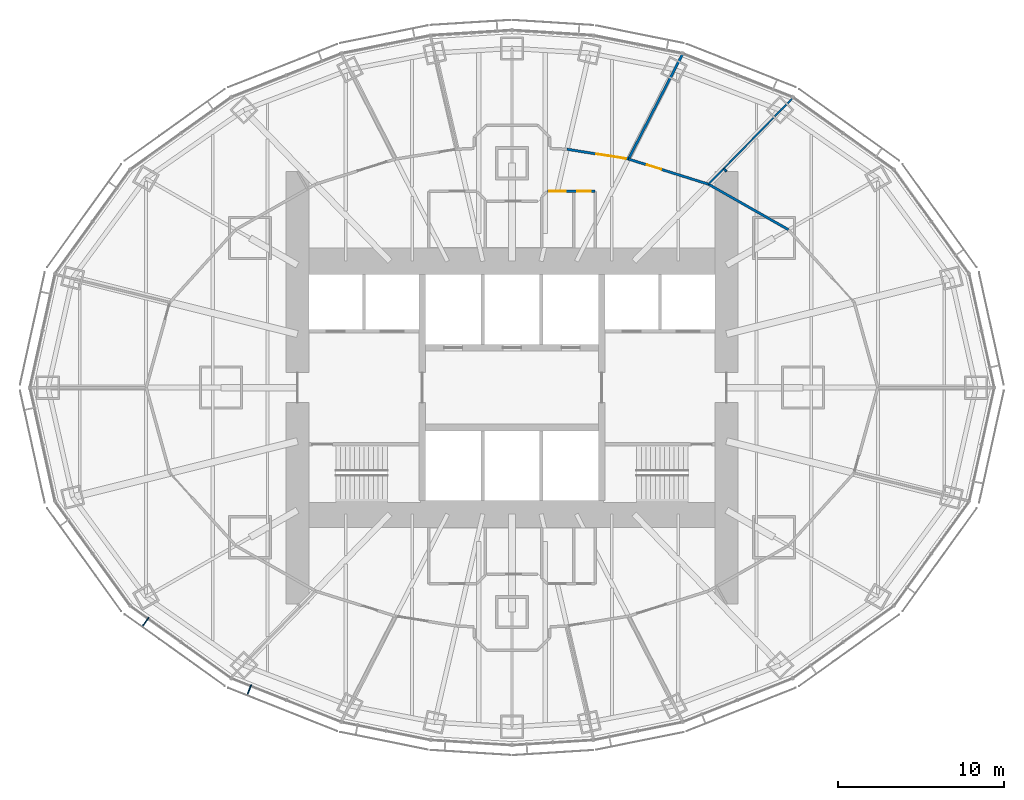
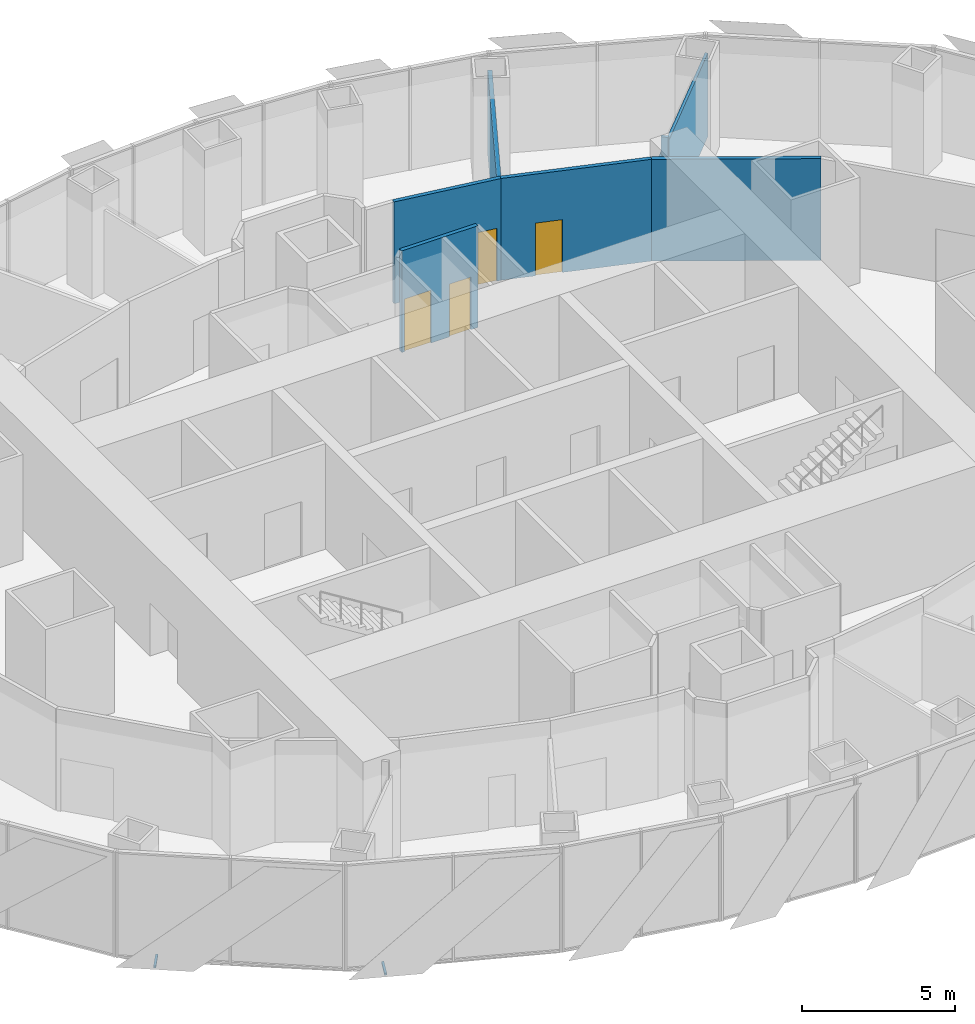
# One storey, part 13 of 18: 7 walls, 4 doors, 2 discrete accessories, 4 openings.
"""IFC4 building model written with IfcOpenShell, lengths in metres."""

from ifc_helpers import new_model, si_unit, direction, frame, frame_2d, origin, origin_2d, place, context, subcontext, project, spatial, rectangle, extrude, material, layer, layer_set, type_object, element, fill, save


model = new_model("IFC4")

# Units and contexts
model_context = context("Model", 3, precision=1e-05, world=origin(), true_north=direction((0.0, 1.0)))
body_context = subcontext(model_context, "Body", "Model", "MODEL_VIEW")
ifc_project = project(units=[si_unit("LENGTHUNIT", "METRE"), si_unit("AREAUNIT", "SQUARE_METRE"), si_unit("VOLUMEUNIT", "CUBIC_METRE"), si_unit("PLANEANGLEUNIT", "RADIAN"), si_unit("MASSUNIT", "GRAM", prefix="KILO")], contexts=[model_context])

# Site, building, storey
site_placement = place(None, origin())
site = spatial("IfcSite", under=ifc_project, at=site_placement, CompositionType="ELEMENT")
building_placement = place(site_placement, origin())
building = spatial("IfcBuilding", under=site, at=building_placement, Name="Lantaw Convention Tower", CompositionType="ELEMENT")
storey_placement = place(building_placement, frame((0.0, 0.0, 172.0)))
storey = spatial("IfcBuildingStorey", under=building, at=storey_placement, Name="L40", CompositionType="ELEMENT", Elevation=172.0)

# Wall
ifc_material_1 = material(Name="Gypsum board on steel studs, fire rated", Category="steel")
ifc_layer_1 = layer(ifc_material_1, 0.14990234375)
ifc_layer_set_1 = layer_set([ifc_layer_1], Name="Corridor wall 150 EI 60")
wall_type_1 = type_object("IfcWallType", Name="Corridor wall 150 EI 60", PredefinedType="PARTITIONING", material=ifc_layer_set_1)
wall_1_placement = place(storey_placement, frame((16.62255859375, 9.49853515625, 0.0), z_axis=(0.0, 0.0, 1.0), x_axis=(-0.869375991036, 0.494151177485, 0.0)))
element("IfcWall", 1, at=wall_1_placement, inside=storey, type_object=wall_type_1, Name="Corridor wall 150", PredefinedType="PARTITIONING", context=body_context, shape_type="SweptSolid", body=[
    extrude(rectangle(XDim=5.532470703125, YDim=0.14990234375, at=frame_2d((2.76611328125, 0.0))), origin(), (0.0, 0.0, 1.0), 4.050048828125),
])

# Wall, opening, door
wall_2_placement = place(storey_placement, frame((11.812744140625, 12.232421875, 0.0), z_axis=(0.0, 0.0, 1.0), x_axis=(-0.953893934057, 0.300143903101, 0.0)))
wall_2 = element("IfcWall", 2, at=wall_2_placement, inside=storey, type_object=wall_type_1, Name="Corridor wall 150", PredefinedType="PARTITIONING", context=body_context, shape_type="SweptSolid", body=[
    extrude(rectangle(XDim=5.04150390625, YDim=0.14990234375, at=frame_2d((2.520751953125, 0.0))), origin(), (0.0, 0.0, 1.0), 4.050048828125),
])
opening_1_placement = place(wall_2_placement, frame((2.98046875, 0.0, 0.0)))
opening_1 = element("IfcOpeningElement", 3, at=opening_1_placement, cuts=wall_2, Name="Opening L40.23", PredefinedType="OPENING", context=body_context, shape_type="SweptSolid", body=[
    extrude(rectangle(XDim=0.89990234375, YDim=2.10009765625, at=frame_2d((0.449951171875, 1.050048828125))), frame((0.0, 0.0849609375, 0.0), z_axis=(0.0, -1.0, 0.0), x_axis=(1.0, 0.0, 0.0)), (0.0, 0.0, 1.0), 0.169921875),
])
ifc_material_2 = material(Name="Steel, fire rated", Category="steel")
door_type_1 = type_object("IfcDoorType", Name="Office door 900 FD30", OperationType="SINGLE_SWING_LEFT", PredefinedType="DOOR", material=ifc_material_2)
door_1_placement = place(opening_1_placement, origin())
door_1 = element("IfcDoor", 4, at=door_1_placement, inside=storey, type_object=door_type_1, Name="Meeting room door", OperationType="SINGLE_SWING_LEFT", OverallHeight=2.10009765625, OverallWidth=0.89990234375, PredefinedType="DOOR", context=body_context, shape_type="SweptSolid", body=[
    extrude(rectangle(XDim=0.89990234375, YDim=2.10009765625, at=frame_2d((0.449951171875, 1.050048828125))), frame((0.0, 0.02490234375, 0.0), z_axis=(0.0, -1.0, 0.0), x_axis=(1.0, 0.0, 0.0)), (0.0, 0.0, 1.0), 0.050048828125),
])
fill(opening_1, door_1)

wall_3_placement = place(storey_placement, frame((7.003662109375, 13.74560546875, 0.0), z_axis=(0.0, 0.0, 1.0), x_axis=(-0.987511396594, 0.157547585181, 0.0)))
wall_3 = element("IfcWall", 5, at=wall_3_placement, inside=storey, type_object=wall_type_1, Name="Corridor wall 150", PredefinedType="PARTITIONING", context=body_context, shape_type="SweptSolid", body=[
    extrude(rectangle(XDim=3.74072265625, YDim=0.14990234375, at=frame_2d((1.870361328125, 0.0))), origin(), (0.0, 0.0, 1.0), 4.050048828125),
])
opening_2_placement = place(wall_3_placement, frame((0.14990234375, 0.0, 0.0)))
opening_2 = element("IfcOpeningElement", 6, at=opening_2_placement, cuts=wall_3, Name="Opening L40.24", PredefinedType="OPENING", context=body_context, shape_type="SweptSolid", body=[
    extrude(rectangle(XDim=1.800048828125, YDim=2.10009765625, at=frame_2d((0.89990234375, 1.050048828125))), frame((0.0, 0.0849609375, 0.0), z_axis=(0.0, -1.0, 0.0), x_axis=(1.0, 0.0, 0.0)), (0.0, 0.0, 1.0), 0.169921875),
])
door_type_2 = type_object("IfcDoorType", Name="Office double door 1800 FD30", OperationType="DOUBLE_DOOR_DOUBLE_SWING", PredefinedType="DOOR", material=ifc_material_2)
door_2_placement = place(opening_2_placement, origin())
door_2 = element("IfcDoor", 7, at=door_2_placement, inside=storey, type_object=door_type_2, Name="Tenant suite door", OperationType="DOUBLE_DOOR_DOUBLE_SWING", OverallHeight=2.10009765625, OverallWidth=1.800048828125, PredefinedType="DOOR", context=body_context, shape_type="SweptSolid", body=[
    extrude(rectangle(XDim=1.800048828125, YDim=2.10009765625, at=frame_2d((0.89990234375, 1.050048828125))), frame((0.0, 0.02490234375, 0.0), z_axis=(0.0, -1.0, 0.0), x_axis=(1.0, 0.0, 0.0)), (0.0, 0.0, 1.0), 0.050048828125),
])
fill(opening_2, door_2)

# Walls
ifc_material_3 = material(Name="Gypsum board on steel studs, acoustic", Category="steel")
ifc_layer_2 = layer(ifc_material_3, 0.10009765625)
ifc_layer_set_2 = layer_set([ifc_layer_2], Name="Office partition 100")
wall_type_2 = type_object("IfcWallType", Name="Office partition 100", PredefinedType="PARTITIONING", material=ifc_layer_set_2)
wall_4_placement = place(storey_placement, frame((16.88232421875, 17.413818359375, 0.0), z_axis=(0.0, 0.0, 1.0), x_axis=(-0.699352142517, -0.714777294517, 0.0)))
element("IfcWall", 8, at=wall_4_placement, inside=storey, type_object=wall_type_2, Name="Office partition 100", PredefinedType="PARTITIONING", context=body_context, shape_type="SweptSolid", body=[
    extrude(rectangle(XDim=7.2490234375, YDim=0.10009765625, at=frame_2d((3.62451171875, 0.0))), origin(), (0.0, 0.0, 1.0), 3.321044921875),
])
wall_5_placement = place(storey_placement, frame((12.89990234375, 13.0, 0.0), z_axis=(0.0, 0.0, 1.0), x_axis=(-0.714690391061, 0.699440951707, 0.0)))
element("IfcWall", 9, at=wall_5_placement, inside=storey, type_object=wall_type_2, Name="Office partition 100", PredefinedType="PARTITIONING", context=body_context, shape_type="SweptSolid", body=[
    extrude(rectangle(XDim=0.240234375, YDim=0.10009765625, at=frame_2d((0.1201171875, 0.0))), origin(), (0.0, 0.0, 1.0), 4.050048828125),
])
ifc_layer_3 = layer(ifc_material_1, 0.14990234375)
ifc_layer_set_3 = layer_set([ifc_layer_3], Name="Tenant separation wall 150 EI 60")
wall_type_3 = type_object("IfcWallType", Name="Tenant separation wall 150 EI 60", PredefinedType="PARTITIONING", material=ifc_layer_set_3)
wall_6_placement = place(storey_placement, frame((10.25341796875, 20.0517578125, 0.0), z_axis=(0.0, 0.0, 1.0), x_axis=(-0.458082677592, -0.888909590729, 0.0)))
element("IfcWall", 10, at=wall_6_placement, inside=storey, type_object=wall_type_3, Name="Tenant separation wall 150", PredefinedType="PARTITIONING", context=body_context, shape_type="SweptSolid", body=[
    extrude(rectangle(XDim=7.09423828125, YDim=0.14990234375, at=frame_2d((3.547119140625, 0.0))), origin(), (0.0, 0.0, 1.0), 3.348876953125),
])

# Wall, openings, doors
ifc_material_4 = material(Name="Concrete blockwork", Category="masonry")
ifc_layer_4 = layer(ifc_material_4, 0.14990234375)
ifc_layer_set_4 = layer_set([ifc_layer_4], Name="WC wall 150")
wall_type_4 = type_object("IfcWallType", Name="WC wall 150", PredefinedType="SOLIDWALL", material=ifc_layer_set_4)
wall_7_placement = place(storey_placement, frame((2.13134765625, 11.800048828125, 0.0), z_axis=(0.0, 0.0, 1.0), x_axis=(1.0, 0.0, 0.0)))
wall_7 = element("IfcWall", 11, at=wall_7_placement, inside=storey, type_object=wall_type_4, Name="WC wall 150", PredefinedType="SOLIDWALL", context=body_context, shape_type="SweptSolid", body=[
    extrude(rectangle(XDim=2.86865234375, YDim=0.14990234375, at=frame_2d((1.434326171875, 0.0))), origin(), (0.0, 0.0, 1.0), 4.050048828125),
])
opening_3_placement = place(wall_7_placement, frame((0.10009765625, 0.0, 0.0)))
opening_3 = element("IfcOpeningElement", 12, at=opening_3_placement, cuts=wall_7, Name="Opening L40.16", PredefinedType="OPENING", context=body_context, shape_type="SweptSolid", body=[
    extrude(rectangle(XDim=1.0, YDim=2.10009765625, at=frame_2d((0.5, 1.050048828125))), frame((0.0, 0.0849609375, 0.0), z_axis=(0.0, -1.0, 0.0), x_axis=(1.0, 0.0, 0.0)), (0.0, 0.0, 1.0), 0.169921875),
])
opening_4_placement = place(wall_7_placement, frame((1.800048828125, 0.0, 0.0)))
opening_4 = element("IfcOpeningElement", 13, at=opening_4_placement, cuts=wall_7, Name="Opening L40.17", PredefinedType="OPENING", context=body_context, shape_type="SweptSolid", body=[
    extrude(rectangle(XDim=0.800048828125, YDim=2.10009765625, at=frame_2d((0.39990234375, 1.050048828125))), frame((0.0, 0.0849609375, 0.0), z_axis=(0.0, -1.0, 0.0), x_axis=(1.0, 0.0, 0.0)), (0.0, 0.0, 1.0), 0.169921875),
])
ifc_material_5 = material(Name="Timber", Category="wood")
door_type_3 = type_object("IfcDoorType", Name="Accessible WC door 1000", OperationType="SINGLE_SWING_LEFT", PredefinedType="DOOR", material=ifc_material_5)
door_3_placement = place(opening_3_placement, origin())
door_3 = element("IfcDoor", 14, at=door_3_placement, inside=storey, type_object=door_type_3, Name="Accessible WC door", OperationType="SINGLE_SWING_LEFT", OverallHeight=2.10009765625, OverallWidth=1.0, PredefinedType="DOOR", context=body_context, shape_type="SweptSolid", body=[
    extrude(rectangle(XDim=1.0, YDim=2.10009765625, at=frame_2d((0.5, 1.050048828125))), frame((0.0, 0.02490234375, 0.0), z_axis=(0.0, -1.0, 0.0), x_axis=(1.0, 0.0, 0.0)), (0.0, 0.0, 1.0), 0.050048828125),
])
fill(opening_3, door_3)
door_type_4 = type_object("IfcDoorType", Name="WC door 800", OperationType="SINGLE_SWING_LEFT", PredefinedType="DOOR", material=ifc_material_5)
door_4_placement = place(opening_4_placement, origin())
door_4 = element("IfcDoor", 15, at=door_4_placement, inside=storey, type_object=door_type_4, Name="Cleaner's store door", OperationType="SINGLE_SWING_LEFT", OverallHeight=2.10009765625, OverallWidth=0.800048828125, PredefinedType="DOOR", context=body_context, shape_type="SweptSolid", body=[
    extrude(rectangle(XDim=0.800048828125, YDim=2.10009765625, at=frame_2d((0.39990234375, 1.050048828125))), frame((0.0, 0.02490234375, 0.0), z_axis=(0.0, -1.0, 0.0), x_axis=(1.0, 0.0, 0.0)), (0.0, 0.0, 1.0), 0.050048828125),
])
fill(opening_4, door_4)

# Discrete accessories
for number, where, z_axis, x_axis, name in (
    (16, (-22.044189453125, -14.10546875, -0.114990234375), (0.0, 0.0, 1.0), (0.813208325995, -0.581972695693, 0.0), "Screen bracket"),
    (17, (-15.802978515625, -18.18798828125, -0.114990234375), (0.0, 0.0, 1.0), (0.929547687544, -0.368701907483, 0.0), "Screen bracket"),
):
    element("IfcDiscreteAccessory", number, at=place(storey_placement, frame(where, z_axis=z_axis, x_axis=x_axis)), inside=storey, Name=name, PredefinedType="BRACKET", context=body_context, shape_type="SweptSolid", body=[
        extrude(rectangle(XDim=0.080078125, YDim=0.68798828125, at=origin_2d()), origin(), (0.0, 0.0, 1.0), 0.080078125),
    ])

save(model, "model.ifc")
